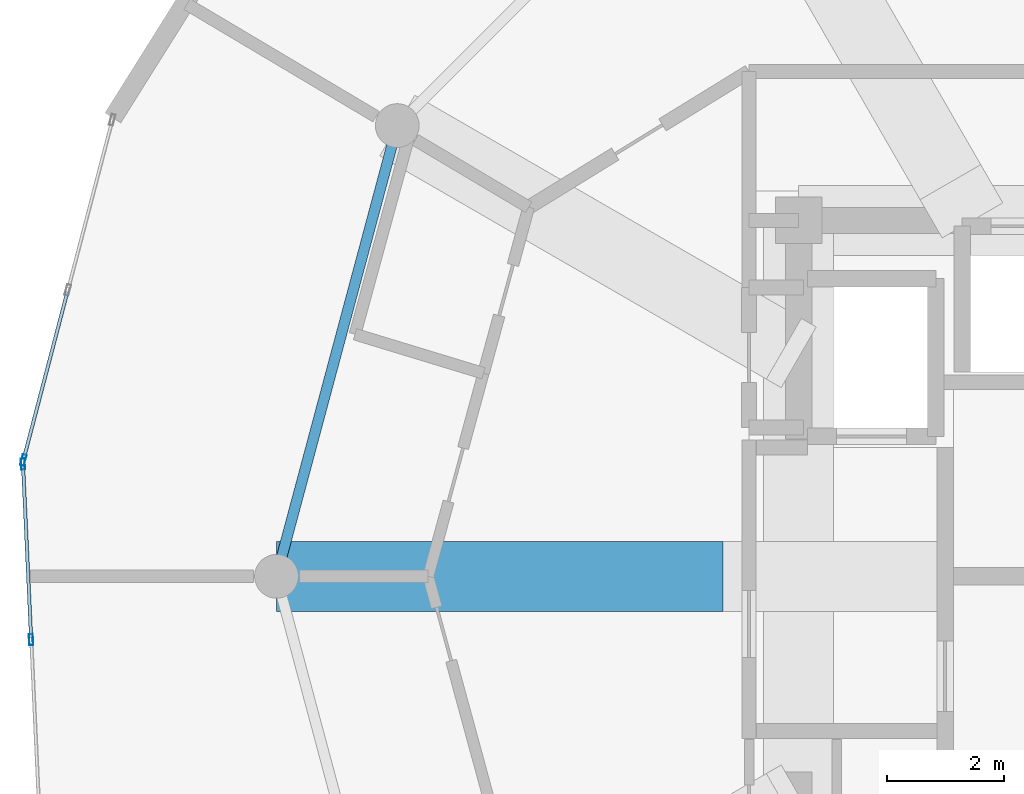
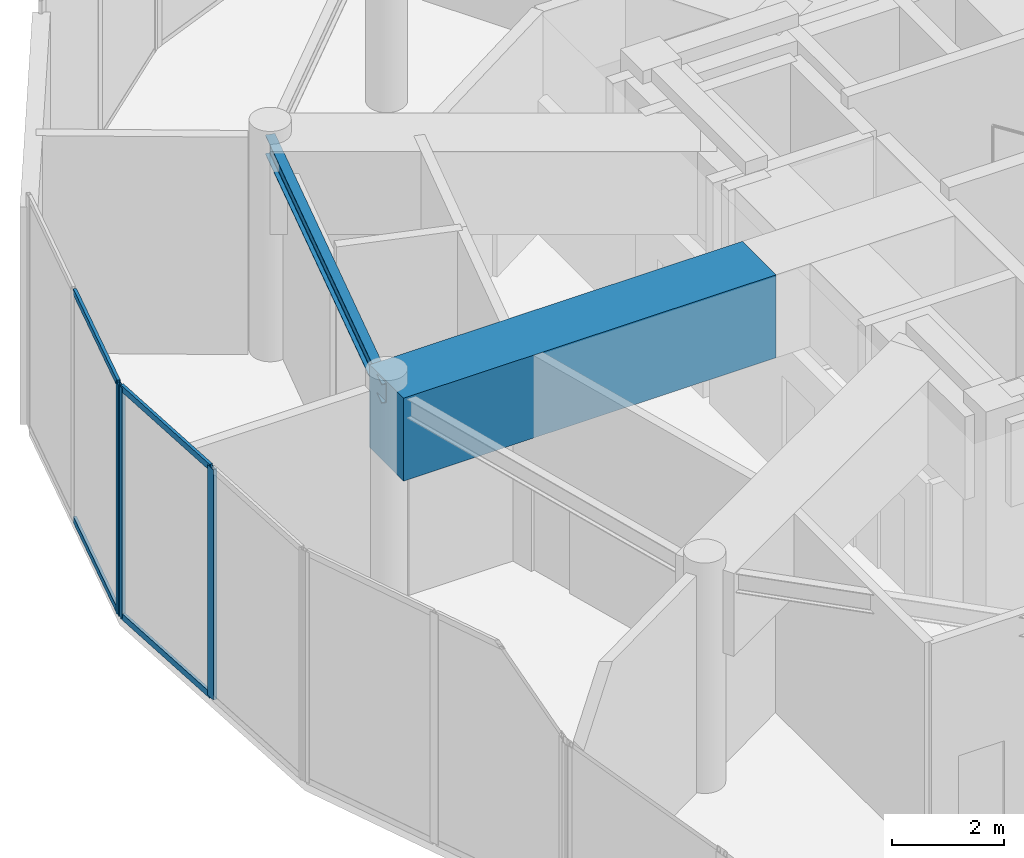
# One storey, part 8 of 20: 7 members, 2 beams, 2 elements without a shape of their own.
"""IFC4 building model written with IfcOpenShell, lengths in metres."""

from ifc_helpers import new_model, si_unit, direction, frame, origin, origin_2d, place, context, subcontext, project, spatial, rectangle, hollow_rectangle, i_section, extrude, source, transform, mapped, material, layer, layer_set, material_profile, profile_set, type_object, element, aggregate, save


model = new_model("IFC4")

# Units and contexts
model_context = context("Model", 3, precision=1e-05, world=origin(), true_north=direction((0.0, 1.0)))
body_context = subcontext(model_context, "Body", "Model", "MODEL_VIEW")
ifc_project = project(units=[si_unit("LENGTHUNIT", "METRE"), si_unit("AREAUNIT", "SQUARE_METRE"), si_unit("VOLUMEUNIT", "CUBIC_METRE"), si_unit("PLANEANGLEUNIT", "RADIAN"), si_unit("MASSUNIT", "GRAM", prefix="KILO")], contexts=[model_context])

# Site, building, storey
site_placement = place(None, origin())
site = spatial("IfcSite", under=ifc_project, at=site_placement, CompositionType="ELEMENT")
building_placement = place(site_placement, origin())
building = spatial("IfcBuilding", under=site, at=building_placement, Name="Solvirekh Grand Hotel", CompositionType="ELEMENT")
storey_placement = place(building_placement, frame((0.0, 0.0, 297.199951171875)))
storey = spatial("IfcBuildingStorey", under=building, at=storey_placement, Name="L77", CompositionType="ELEMENT", Elevation=297.199951171875)

# Beams
ifc_material_1 = material(Name="Steel S355", Category="steel")
ifc_material_profile_1 = material_profile(ifc_material_1, i_section(OverallWidth=0.180908203125, OverallDepth=0.4169921875, WebThickness=0.010009765625, FlangeThickness=0.01611328125, FilletRadius=0.011962890625, at=origin_2d()), Name="W410X85")
ifc_profile_set_1 = profile_set([ifc_material_profile_1], Name="Steel S355")
beam_type_1 = type_object("IfcBeamType", Name="Spandrel_Ring_W410", PredefinedType="SPANDREL", material=ifc_profile_set_1)
beam_1_placement = place(storey_placement, frame((-13.3798828125, 7.72509765625, 4.470947265625), z_axis=(-0.258834757072, -0.965921616143, 0.0), x_axis=(0.965921616143, -0.258834757072, 0.0)))
element("IfcBeam", 1, at=beam_1_placement, inside=storey, type_object=beam_type_1, Name="L77 perimeter spandrel beam 6", PredefinedType="SPANDREL", context=body_context, shape_type="SweptSolid", body=[
    extrude(i_section(OverallWidth=0.180908203125, OverallDepth=0.4169921875, WebThickness=0.010009765625, FlangeThickness=0.01611328125, FilletRadius=0.011962890625, at=origin_2d()), origin(), (0.0, 0.0, 1.0), 7.99755859375),
])
ifc_material_2 = material(Name="Concrete C60/75", Category="concrete")
ifc_material_profile_2 = material_profile(ifc_material_2, rectangle(XDim=1.199951171875, YDim=1.800048828125, at=origin_2d()), Name="RC GIRDER 1200X1800")
ifc_profile_set_2 = profile_set([ifc_material_profile_2], Name="Concrete C60/75")
beam_type_2 = type_object("IfcBeamType", Name="TransferGirder_RC1800", PredefinedType="USERDEFINED", material=ifc_profile_set_2)
beam_2_placement = place(storey_placement, frame((-7.800048828125, 0.0, 3.820068359375), z_axis=(-1.0, 0.0, 0.0), x_axis=(0.0, -1.0, 0.0)))
element("IfcBeam", 2, at=beam_2_placement, inside=storey, type_object=beam_type_2, Name="L77 outer radial transfer girder 7B", ObjectType="TRANSFER GIRDER", PredefinedType="USERDEFINED", context=body_context, shape_type="SweptSolid", body=[
    extrude(rectangle(XDim=1.199951171875, YDim=1.800048828125, at=origin_2d()), origin(), (0.0, 0.0, 1.0), 7.64990234375),
])

# Curtain wall, member
ifc_material_3 = material(Name="Anodized Bronze Aluminium 6063-T6", Category="aluminium")
ifc_layer = layer(ifc_material_3, 0.18994140625)
ifc_layer_set = layer_set([ifc_layer], Name="Anodized Bronze Aluminium 6063-T6")
curtain_wall_type = type_object("IfcCurtainWallType", Name="CW_Sys5_SkyLobbyPanoramaCW", PredefinedType="NOTDEFINED", material=ifc_layer_set)
curtain_wall_1_placement = place(storey_placement, origin())
curtain_wall_1 = element("IfcCurtainWall", 3, at=curtain_wall_1_placement, inside=storey, type_object=curtain_wall_type, Name="L77 unitised bronze-glass curtain wall CW-L77-C15", PredefinedType="NOTDEFINED")
ifc_material_profile_3 = material_profile(ifc_material_3, hollow_rectangle(XDim=0.070068359375, YDim=0.18994140625, WallThickness=0.0048828125, at=origin_2d()), Name="ALU RHS 190X70X5")
ifc_profile_set_3 = profile_set([ifc_material_profile_3], Name="Anodized Bronze Aluminium 6063-T6")
member_type_1 = type_object("IfcMemberType", Name="CWMullion_Sys5", PredefinedType="MULLION", material=ifc_profile_set_3)
shared_shape_1 = source(origin(), body_context, "Body", "SweptSolid", [
    extrude(hollow_rectangle(XDim=0.070068359375, YDim=0.18994140625, WallThickness=0.0048828125, at=origin_2d()), origin(), (0.0, 0.0, 1.0), 5.0),
])
member_1_placement = place(storey_placement, frame((-19.7880859375, 1.993896484375, 0.0), z_axis=(0.0, 0.0, 1.0), x_axis=(0.967470761088, -0.252982857998, 0.0)))
member_1 = element("IfcMember", 4, at=member_1_placement, type_object=member_type_1, Name="U05 mullion 3", PredefinedType="MULLION", context=body_context, shape_type="MappedRepresentation", body=[
    mapped(shared_shape_1, transform((0.0, 0.0, 0.0), x_axis=(1.0, 0.0, 0.0), y_axis=(0.0, 1.0, 0.0), z_axis=(0.0, 0.0, 1.0), scale=1.0)),
])

# Curtain wall, members
curtain_wall_2_placement = place(storey_placement, origin())
curtain_wall_2 = element("IfcCurtainWall", 5, at=curtain_wall_2_placement, inside=storey, type_object=curtain_wall_type, Name="L77 unitised bronze-glass curtain wall CW-L77-C16", PredefinedType="NOTDEFINED")
member_2_placement = place(storey_placement, frame((-19.79541015625, 1.925048828125, 0.0), z_axis=(0.0, 0.0, 1.0), x_axis=(0.998921679103, 0.046427136666, 0.0)))
member_2 = element("IfcMember", 6, at=member_2_placement, type_object=member_type_1, Name="U05 mullion 1", PredefinedType="MULLION", context=body_context, shape_type="MappedRepresentation", body=[
    mapped(shared_shape_1, transform((0.0, 0.0, 0.0), x_axis=(1.0, 0.0, 0.0), y_axis=(0.0, 1.0, 0.0), z_axis=(0.0, 0.0, 1.0), scale=1.0)),
])
member_3_placement = place(storey_placement, frame((-19.655517578125, -1.08447265625, 0.0), z_axis=(0.0, 0.0, 1.0), x_axis=(0.998921679103, 0.046427136666, 0.0)))
member_3 = element("IfcMember", 7, at=member_3_placement, type_object=member_type_1, Name="U05 mullion 2", PredefinedType="MULLION", context=body_context, shape_type="MappedRepresentation", body=[
    mapped(shared_shape_1, transform((0.0, 0.0, 0.0), x_axis=(1.0, 0.0, 0.0), y_axis=(0.0, 1.0, 0.0), z_axis=(0.0, 0.0, 1.0), scale=1.0)),
])

# Member
ifc_material_profile_4 = material_profile(ifc_material_3, hollow_rectangle(XDim=0.06005859375, YDim=0.135009765625, WallThickness=0.00390625, at=origin_2d()), Name="ALU RHS 135X60X4")
ifc_profile_set_4 = profile_set([ifc_material_profile_4], Name="Anodized Bronze Aluminium 6063-T6")
member_type_2 = type_object("IfcMemberType", Name="CWTransom_Sys5", PredefinedType="USERDEFINED", material=ifc_profile_set_4)
shared_shape_2 = source(origin(), body_context, "Body", "SweptSolid", [
    extrude(hollow_rectangle(XDim=0.06005859375, YDim=0.135009765625, WallThickness=0.00390625, at=origin_2d()), origin(), (0.0, 0.0, 1.0), 2.942626953125),
])
member_4_placement = place(storey_placement, frame((-19.034912109375, 4.874755859375, 0.030029296875), z_axis=(-0.252965619899, -0.967475268495, 0.0), x_axis=(0.967475268495, -0.252965619899, 0.0)))
member_4 = element("IfcMember", 8, at=member_4_placement, type_object=member_type_2, Name="U05 transom 2.1", ObjectType="TRANSOM", PredefinedType="USERDEFINED", context=body_context, shape_type="MappedRepresentation", body=[
    mapped(shared_shape_2, transform((0.0, 0.0, 0.0), x_axis=(1.0, 0.0, 0.0), y_axis=(0.0, 1.0, 0.0), z_axis=(0.0, 0.0, 1.0), scale=1.0)),
])

member_5_placement = place(storey_placement, frame((-19.034912109375, 4.874755859375, 4.969970703125), z_axis=(-0.252965619899, -0.967475268495, 0.0), x_axis=(0.967475268495, -0.252965619899, 0.0)))
member_5 = element("IfcMember", 9, at=member_5_placement, type_object=member_type_2, Name="U05 transom 2.2", ObjectType="TRANSOM", PredefinedType="USERDEFINED", context=body_context, shape_type="MappedRepresentation", body=[
    mapped(shared_shape_2, transform((0.0, 0.0, 0.0), x_axis=(1.0, 0.0, 0.0), y_axis=(0.0, 1.0, 0.0), z_axis=(0.0, 0.0, 1.0), scale=1.0)),
])

aggregate(curtain_wall_1, [member_1, member_4, member_5])

shared_shape_3 = source(origin(), body_context, "Body", "SweptSolid", [
    extrude(hollow_rectangle(XDim=0.06005859375, YDim=0.135009765625, WallThickness=0.00390625, at=origin_2d()), origin(), (0.0, 0.0, 1.0), 2.94287109375),
])
member_6_placement = place(storey_placement, frame((-19.793701171875, 1.89013671875, 0.030029296875), z_axis=(0.046374767746, -0.99892411169, 0.0), x_axis=(0.99892411169, 0.046374767746, 0.0)))
member_6 = element("IfcMember", 10, at=member_6_placement, type_object=member_type_2, Name="U05 transom 1.1", ObjectType="TRANSOM", PredefinedType="USERDEFINED", context=body_context, shape_type="MappedRepresentation", body=[
    mapped(shared_shape_3, transform((0.0, 0.0, 0.0), x_axis=(1.0, 0.0, 0.0), y_axis=(0.0, 1.0, 0.0), z_axis=(0.0, 0.0, 1.0), scale=1.0)),
])

member_7_placement = place(storey_placement, frame((-19.793701171875, 1.89013671875, 4.969970703125), z_axis=(0.046374767746, -0.99892411169, 0.0), x_axis=(0.99892411169, 0.046374767746, 0.0)))
member_7 = element("IfcMember", 11, at=member_7_placement, type_object=member_type_2, Name="U05 transom 1.2", ObjectType="TRANSOM", PredefinedType="USERDEFINED", context=body_context, shape_type="MappedRepresentation", body=[
    mapped(shared_shape_3, transform((0.0, 0.0, 0.0), x_axis=(1.0, 0.0, 0.0), y_axis=(0.0, 1.0, 0.0), z_axis=(0.0, 0.0, 1.0), scale=1.0)),
])

aggregate(curtain_wall_2, [member_2, member_3, member_6, member_7])

save(model, "model.ifc")
